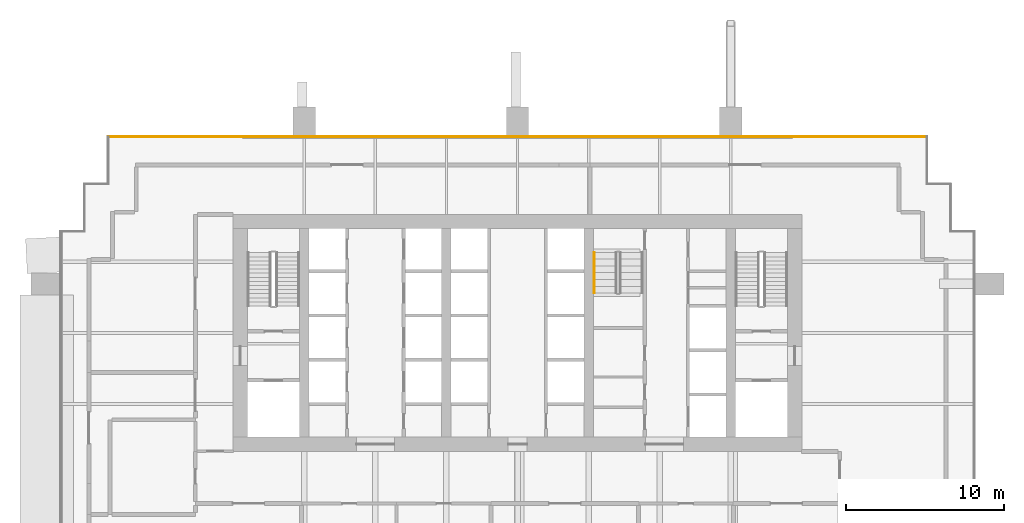
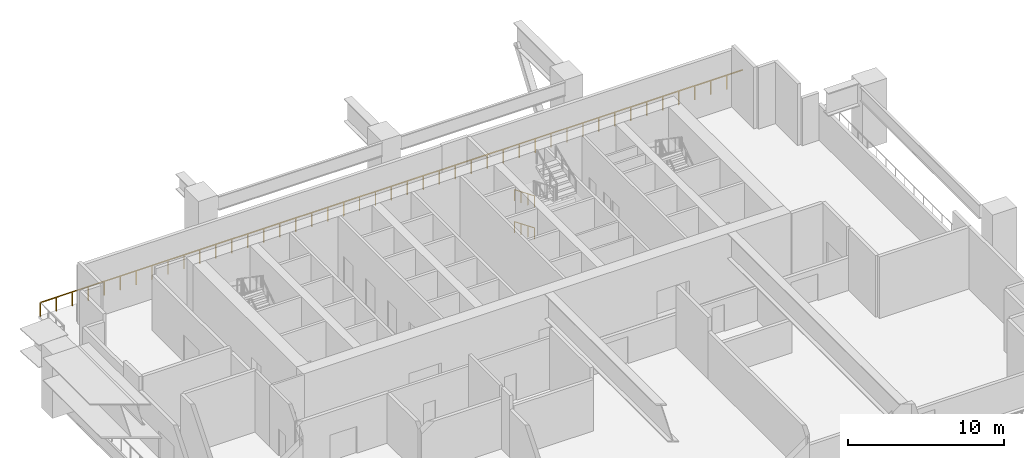
# One storey, part 8 of 9: 3 railings.
"""IFC4 building model written with IfcOpenShell, lengths in metres."""

from ifc_helpers import new_model, si_unit, direction, frame, origin, origin_2d, place, context, subcontext, project, spatial, rectangle, extrude, material, type_object, element, save


model = new_model("IFC4")

# Units and contexts
model_context = context("Model", 3, precision=1e-05, world=origin(), true_north=direction((0.0, 1.0)))
body_context = subcontext(model_context, "Body", "Model", "MODEL_VIEW")
ifc_project = project(units=[si_unit("LENGTHUNIT", "METRE"), si_unit("AREAUNIT", "SQUARE_METRE"), si_unit("VOLUMEUNIT", "CUBIC_METRE"), si_unit("PLANEANGLEUNIT", "RADIAN"), si_unit("MASSUNIT", "GRAM", prefix="KILO")], contexts=[model_context])

# Site, building, storey
site_placement = place(None, origin())
site = spatial("IfcSite", under=ifc_project, at=site_placement, CompositionType="ELEMENT")
building_placement = place(site_placement, origin())
building = spatial("IfcBuilding", under=site, at=building_placement, Name="Rattan Terrace Tower", CompositionType="ELEMENT")
storey_placement = place(building_placement, frame((0.0, 0.0, 158.10009765625)))
storey = spatial("IfcBuildingStorey", under=building, at=storey_placement, Name="L36", CompositionType="ELEMENT", Elevation=158.10009765625)

# Railings
ifc_material_1 = material(Name="Powder-coated steel handrail", Category="steel")
railing_type_1 = type_object("IfcRailingType", Name="Core stair handrail", PredefinedType="HANDRAIL", material=ifc_material_1)
for number, where, name in (
    (1, (4.85009765625, 5.10009765625, 0.178466796875), "L36 S3 stair handrail 1"),
    (2, (4.85009765625, 5.10009765625, 2.678466796875), "L36 S3 stair handrail 3"),
):
    element("IfcRailing", number, at=place(storey_placement, frame(where)), inside=storey, type_object=railing_type_1, Name=name, PredefinedType="HANDRAIL", context=body_context, shape_type="SweptSolid", body=[
        extrude(rectangle(XDim=0.048095703125, YDim=0.048095703125, at=origin_2d()), frame((0.0, 0.0, 0.8759765625), z_axis=(0.0, -0.923521004632, 0.383547850996), x_axis=(1.0, 0.0, 0.0)), (0.0, 0.0, 1.0), 2.793701171875),
        extrude(rectangle(XDim=0.0419921875, YDim=0.0419921875, at=origin_2d()), origin(), (0.0, 0.0, 1.0), 0.851806640625),
        extrude(rectangle(XDim=0.0419921875, YDim=0.0419921875, at=origin_2d()), frame((0.0, -0.860107421875, 0.357177734375)), (0.0, 0.0, 1.0), 0.851806640625),
        extrude(rectangle(XDim=0.0419921875, YDim=0.0419921875, at=origin_2d()), frame((0.0, -1.719970703125, 0.71435546875)), (0.0, 0.0, 1.0), 0.851806640625),
        extrude(rectangle(XDim=0.0419921875, YDim=0.0419921875, at=origin_2d()), frame((0.0, -2.580078125, 1.071533203125)), (0.0, 0.0, 1.0), 0.851806640625),
    ])
ifc_material_2 = material(Name="Stainless steel 316", Category="steel")
railing_type_2 = type_object("IfcRailingType", Name="Facade Guard 1100", PredefinedType="GUARDRAIL", material=ifc_material_2)
railing_placement = place(storey_placement, frame((-25.919921875, 12.419921875, 0.0)))
element("IfcRailing", 3, at=railing_placement, inside=storey, type_object=railing_type_2, Name="Guard L36-11", PredefinedType="GUARDRAIL", context=body_context, shape_type="SweptSolid", body=[
    extrude(rectangle(XDim=0.048095703125, YDim=0.048095703125, at=origin_2d()), frame((0.0, 0.0, 1.076171875), z_axis=(1.0, 0.0, 0.0), x_axis=(0.0, 1.0, 0.0)), (0.0, 0.0, 1.0), 51.83984375),
    extrude(rectangle(XDim=0.0419921875, YDim=0.0419921875, at=origin_2d()), origin(), (0.0, 0.0, 1.0), 1.052001953125),
    extrude(rectangle(XDim=0.0419921875, YDim=0.0419921875, at=origin_2d()), frame((1.17822265625, 0.0, 0.0)), (0.0, 0.0, 1.0), 1.052001953125),
    extrude(rectangle(XDim=0.0419921875, YDim=0.0419921875, at=origin_2d()), frame((2.3564453125, 0.0, 0.0)), (0.0, 0.0, 1.0), 1.052001953125),
    extrude(rectangle(XDim=0.0419921875, YDim=0.0419921875, at=origin_2d()), frame((3.534423828125, 0.0, 0.0)), (0.0, 0.0, 1.0), 1.052001953125),
    extrude(rectangle(XDim=0.0419921875, YDim=0.0419921875, at=origin_2d()), frame((4.712646484375, 0.0, 0.0)), (0.0, 0.0, 1.0), 1.052001953125),
    extrude(rectangle(XDim=0.0419921875, YDim=0.0419921875, at=origin_2d()), frame((5.890869140625, 0.0, 0.0)), (0.0, 0.0, 1.0), 1.052001953125),
    extrude(rectangle(XDim=0.0419921875, YDim=0.0419921875, at=origin_2d()), frame((7.069091796875, 0.0, 0.0)), (0.0, 0.0, 1.0), 1.052001953125),
    extrude(rectangle(XDim=0.0419921875, YDim=0.0419921875, at=origin_2d()), frame((8.247314453125, 0.0, 0.0)), (0.0, 0.0, 1.0), 1.052001953125),
    extrude(rectangle(XDim=0.0419921875, YDim=0.0419921875, at=origin_2d()), frame((9.425537109375, 0.0, 0.0)), (0.0, 0.0, 1.0), 1.052001953125),
    extrude(rectangle(XDim=0.0419921875, YDim=0.0419921875, at=origin_2d()), frame((10.603515625, 0.0, 0.0)), (0.0, 0.0, 1.0), 1.052001953125),
    extrude(rectangle(XDim=0.0419921875, YDim=0.0419921875, at=origin_2d()), frame((11.78173828125, 0.0, 0.0)), (0.0, 0.0, 1.0), 1.052001953125),
    extrude(rectangle(XDim=0.0419921875, YDim=0.0419921875, at=origin_2d()), frame((12.9599609375, 0.0, 0.0)), (0.0, 0.0, 1.0), 1.052001953125),
    extrude(rectangle(XDim=0.0419921875, YDim=0.0419921875, at=origin_2d()), frame((14.13818359375, 0.0, 0.0)), (0.0, 0.0, 1.0), 1.052001953125),
    extrude(rectangle(XDim=0.0419921875, YDim=0.0419921875, at=origin_2d()), frame((15.31640625, 0.0, 0.0)), (0.0, 0.0, 1.0), 1.052001953125),
    extrude(rectangle(XDim=0.0419921875, YDim=0.0419921875, at=origin_2d()), frame((16.494384765625, 0.0, 0.0)), (0.0, 0.0, 1.0), 1.052001953125),
    extrude(rectangle(XDim=0.0419921875, YDim=0.0419921875, at=origin_2d()), frame((17.672607421875, 0.0, 0.0)), (0.0, 0.0, 1.0), 1.052001953125),
    extrude(rectangle(XDim=0.0419921875, YDim=0.0419921875, at=origin_2d()), frame((18.850830078125, 0.0, 0.0)), (0.0, 0.0, 1.0), 1.052001953125),
    extrude(rectangle(XDim=0.0419921875, YDim=0.0419921875, at=origin_2d()), frame((20.029052734375, 0.0, 0.0)), (0.0, 0.0, 1.0), 1.052001953125),
    extrude(rectangle(XDim=0.0419921875, YDim=0.0419921875, at=origin_2d()), frame((21.207275390625, 0.0, 0.0)), (0.0, 0.0, 1.0), 1.052001953125),
    extrude(rectangle(XDim=0.0419921875, YDim=0.0419921875, at=origin_2d()), frame((22.385498046875, 0.0, 0.0)), (0.0, 0.0, 1.0), 1.052001953125),
    extrude(rectangle(XDim=0.0419921875, YDim=0.0419921875, at=origin_2d()), frame((23.5634765625, 0.0, 0.0)), (0.0, 0.0, 1.0), 1.052001953125),
    extrude(rectangle(XDim=0.0419921875, YDim=0.0419921875, at=origin_2d()), frame((24.74169921875, 0.0, 0.0)), (0.0, 0.0, 1.0), 1.052001953125),
    extrude(rectangle(XDim=0.0419921875, YDim=0.0419921875, at=origin_2d()), frame((25.919921875, 0.0, 0.0)), (0.0, 0.0, 1.0), 1.052001953125),
    extrude(rectangle(XDim=0.0419921875, YDim=0.0419921875, at=origin_2d()), frame((27.09814453125, 0.0, 0.0)), (0.0, 0.0, 1.0), 1.052001953125),
    extrude(rectangle(XDim=0.0419921875, YDim=0.0419921875, at=origin_2d()), frame((28.2763671875, 0.0, 0.0)), (0.0, 0.0, 1.0), 1.052001953125),
    extrude(rectangle(XDim=0.0419921875, YDim=0.0419921875, at=origin_2d()), frame((29.454345703125, 0.0, 0.0)), (0.0, 0.0, 1.0), 1.052001953125),
    extrude(rectangle(XDim=0.0419921875, YDim=0.0419921875, at=origin_2d()), frame((30.632568359375, 0.0, 0.0)), (0.0, 0.0, 1.0), 1.052001953125),
    extrude(rectangle(XDim=0.0419921875, YDim=0.0419921875, at=origin_2d()), frame((31.810791015625, 0.0, 0.0)), (0.0, 0.0, 1.0), 1.052001953125),
    extrude(rectangle(XDim=0.0419921875, YDim=0.0419921875, at=origin_2d()), frame((32.989013671875, 0.0, 0.0)), (0.0, 0.0, 1.0), 1.052001953125),
    extrude(rectangle(XDim=0.0419921875, YDim=0.0419921875, at=origin_2d()), frame((34.167236328125, 0.0, 0.0)), (0.0, 0.0, 1.0), 1.052001953125),
    extrude(rectangle(XDim=0.0419921875, YDim=0.0419921875, at=origin_2d()), frame((35.345458984375, 0.0, 0.0)), (0.0, 0.0, 1.0), 1.052001953125),
    extrude(rectangle(XDim=0.0419921875, YDim=0.0419921875, at=origin_2d()), frame((36.5234375, 0.0, 0.0)), (0.0, 0.0, 1.0), 1.052001953125),
    extrude(rectangle(XDim=0.0419921875, YDim=0.0419921875, at=origin_2d()), frame((37.70166015625, 0.0, 0.0)), (0.0, 0.0, 1.0), 1.052001953125),
    extrude(rectangle(XDim=0.0419921875, YDim=0.0419921875, at=origin_2d()), frame((38.8798828125, 0.0, 0.0)), (0.0, 0.0, 1.0), 1.052001953125),
    extrude(rectangle(XDim=0.0419921875, YDim=0.0419921875, at=origin_2d()), frame((40.05810546875, 0.0, 0.0)), (0.0, 0.0, 1.0), 1.052001953125),
    extrude(rectangle(XDim=0.0419921875, YDim=0.0419921875, at=origin_2d()), frame((41.236328125, 0.0, 0.0)), (0.0, 0.0, 1.0), 1.052001953125),
    extrude(rectangle(XDim=0.0419921875, YDim=0.0419921875, at=origin_2d()), frame((42.414306640625, 0.0, 0.0)), (0.0, 0.0, 1.0), 1.052001953125),
    extrude(rectangle(XDim=0.0419921875, YDim=0.0419921875, at=origin_2d()), frame((43.592529296875, 0.0, 0.0)), (0.0, 0.0, 1.0), 1.052001953125),
    extrude(rectangle(XDim=0.0419921875, YDim=0.0419921875, at=origin_2d()), frame((44.770751953125, 0.0, 0.0)), (0.0, 0.0, 1.0), 1.052001953125),
    extrude(rectangle(XDim=0.0419921875, YDim=0.0419921875, at=origin_2d()), frame((45.948974609375, 0.0, 0.0)), (0.0, 0.0, 1.0), 1.052001953125),
    extrude(rectangle(XDim=0.0419921875, YDim=0.0419921875, at=origin_2d()), frame((47.127197265625, 0.0, 0.0)), (0.0, 0.0, 1.0), 1.052001953125),
    extrude(rectangle(XDim=0.0419921875, YDim=0.0419921875, at=origin_2d()), frame((48.305419921875, 0.0, 0.0)), (0.0, 0.0, 1.0), 1.052001953125),
    extrude(rectangle(XDim=0.0419921875, YDim=0.0419921875, at=origin_2d()), frame((49.4833984375, 0.0, 0.0)), (0.0, 0.0, 1.0), 1.052001953125),
    extrude(rectangle(XDim=0.0419921875, YDim=0.0419921875, at=origin_2d()), frame((50.66162109375, 0.0, 0.0)), (0.0, 0.0, 1.0), 1.052001953125),
])

save(model, "model.ifc")
